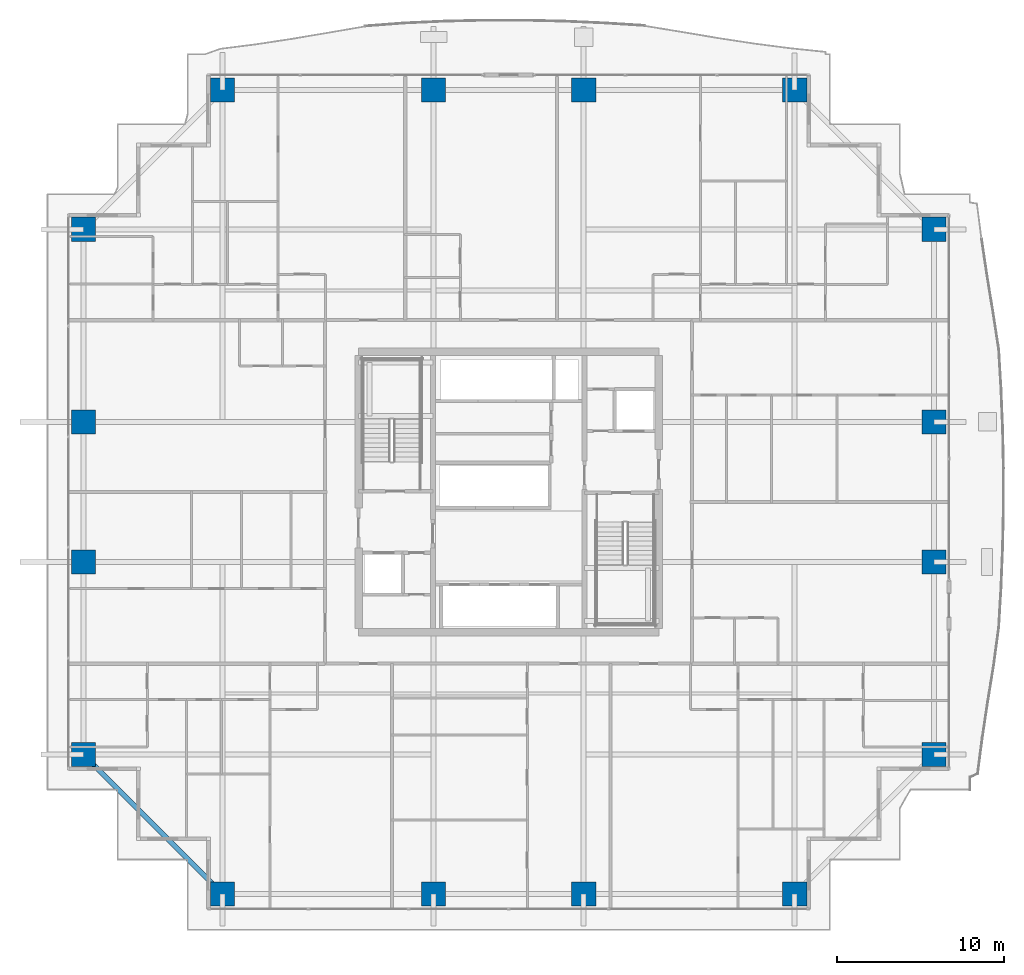
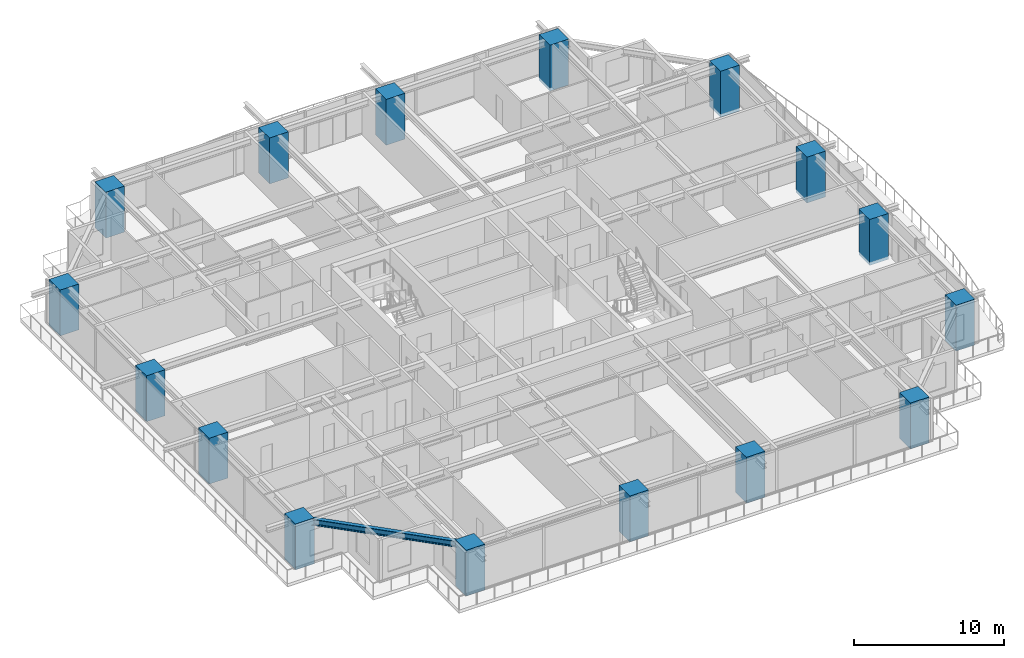
# One storey, part 1 of 38: 16 columns, 1 beam.
"""IFC4 building model written with IfcOpenShell, lengths in metres."""

from ifc_helpers import new_model, si_unit, direction, frame, origin, origin_2d, place, context, subcontext, project, spatial, rectangle, i_section, extrude, source, transform, mapped, material, material_profile, profile_set, type_object, element, save


model = new_model("IFC4")

# Units and contexts
model_context = context("Model", 3, precision=1e-05, world=origin(), true_north=direction((0.0, 1.0)))
body_context = subcontext(model_context, "Body", "Model", "MODEL_VIEW")
ifc_project = project(units=[si_unit("LENGTHUNIT", "METRE"), si_unit("AREAUNIT", "SQUARE_METRE"), si_unit("VOLUMEUNIT", "CUBIC_METRE"), si_unit("PLANEANGLEUNIT", "RADIAN"), si_unit("MASSUNIT", "GRAM", prefix="KILO")], contexts=[model_context])

# Site, building, storey
site_placement = place(None, origin())
site = spatial("IfcSite", under=ifc_project, at=site_placement, CompositionType="ELEMENT")
building_placement = place(site_placement, origin())
building = spatial("IfcBuilding", under=site, at=building_placement, Name="Serunith Strait Residences", CompositionType="ELEMENT")
storey_placement = place(building_placement, frame((0.0, 0.0, 37.949951171875)))
storey = spatial("IfcBuildingStorey", under=building, at=storey_placement, Name="L08", CompositionType="ELEMENT", Elevation=37.949951171875)

# Columns
ifc_material_1 = material(Name="Concrete C90/105", Category="concrete")
ifc_material_profile_1 = material_profile(ifc_material_1, rectangle(XDim=1.449951171875, YDim=1.449951171875, at=origin_2d()), Name="RC 1450x1450")
ifc_profile_set_1 = profile_set([ifc_material_profile_1], Name="Concrete C90/105")
column_type = type_object("IfcColumnType", Name="COL-RC-1450", PredefinedType="COLUMN", material=ifc_profile_set_1)
shared_shape_1 = source(origin(), body_context, "Body", "SweptSolid", [
    extrude(rectangle(XDim=1.449951171875, YDim=1.449951171875, at=origin_2d()), origin(), (0.0, 0.0, 1.0), 3.75),
])
for number, where, z_axis, x_axis, name in (
    (1, (15.25, 1.10009765625, -0.260009765625), (0.0, 0.0, 1.0), (1.0, 0.0, 0.0), "L08 Tower Mega-Column TC-S1"),
    (2, (27.89990234375, 1.10009765625, -0.260009765625), (0.0, 0.0, 1.0), (1.0, 0.0, 0.0), "L08 Tower Mega-Column TC-S2"),
    (3, (36.89990234375, 1.10009765625, -0.260009765625), (0.0, 0.0, 1.0), (1.0, 0.0, 0.0), "L08 Tower Mega-Column TC-S3"),
    (4, (49.550048828125, 1.10009765625, -0.260009765625), (0.0, 0.0, 1.0), (1.0, 0.0, 0.0), "L08 Tower Mega-Column TC-S4"),
    (5, (15.25, 49.300048828125, -0.260009765625), (0.0, 0.0, 1.0), (1.0, 0.0, 0.0), "L08 Tower Mega-Column TC-N1"),
    (6, (27.89990234375, 49.300048828125, -0.260009765625), (0.0, 0.0, 1.0), (1.0, 0.0, 0.0), "L08 Tower Mega-Column TC-N2"),
    (7, (36.89990234375, 49.300048828125, -0.260009765625), (0.0, 0.0, 1.0), (1.0, 0.0, 0.0), "L08 Tower Mega-Column TC-N3"),
    (8, (49.550048828125, 49.300048828125, -0.260009765625), (0.0, 0.0, 1.0), (1.0, 0.0, 0.0), "L08 Tower Mega-Column TC-N4"),
    (9, (57.89990234375, 9.449951171875, -0.260009765625), (0.0, 0.0, 1.0), (1.0, 0.0, 0.0), "L08 Tower Mega-Column TC-E1"),
    (10, (57.89990234375, 21.0, -0.260009765625), (0.0, 0.0, 1.0), (1.0, 0.0, 0.0), "L08 Tower Mega-Column TC-E2"),
    (11, (57.89990234375, 29.39990234375, -0.260009765625), (0.0, 0.0, 1.0), (1.0, 0.0, 0.0), "L08 Tower Mega-Column TC-E3"),
    (12, (57.89990234375, 40.949951171875, -0.260009765625), (0.0, 0.0, 1.0), (1.0, 0.0, 0.0), "L08 Tower Mega-Column TC-E4"),
    (13, (6.89990234375, 9.449951171875, -0.260009765625), (0.0, 0.0, 1.0), (1.0, 0.0, 0.0), "L08 Tower Mega-Column TC-W1"),
    (14, (6.89990234375, 21.0, -0.260009765625), (0.0, 0.0, 1.0), (1.0, 0.0, 0.0), "L08 Tower Mega-Column TC-W2"),
    (15, (6.89990234375, 29.39990234375, -0.260009765625), (0.0, 0.0, 1.0), (1.0, 0.0, 0.0), "L08 Tower Mega-Column TC-W3"),
    (16, (6.89990234375, 40.949951171875, -0.260009765625), (0.0, 0.0, 1.0), (1.0, 0.0, 0.0), "L08 Tower Mega-Column TC-W4"),
):
    element("IfcColumn", number, at=place(storey_placement, frame(where, z_axis=z_axis, x_axis=x_axis)), inside=storey, type_object=column_type, Name=name, PredefinedType="COLUMN", context=body_context, shape_type="MappedRepresentation", body=[
        mapped(shared_shape_1, transform((0.0, 0.0, 0.0), scale=1.0)),
    ])

# Beam
ifc_material_2 = material(Name="Steel S355J2", Category="steel")
ifc_material_profile_2 = material_profile(ifc_material_2, i_section(OverallWidth=0.300048828125, OverallDepth=0.5, WebThickness=0.014404296875, FlangeThickness=0.028076171875, FilletRadius=0.027099609375, at=origin_2d()), Name="HEB 500")
ifc_profile_set_2 = profile_set([ifc_material_profile_2], Name="Steel S355J2")
beam_type = type_object("IfcBeamType", Name="BM-HEB500", PredefinedType="BEAM", material=ifc_profile_set_2)
shared_shape_2 = source(origin(), body_context, "Body", "SweptSolid", [
    extrude(i_section(OverallWidth=0.300048828125, OverallDepth=0.5, WebThickness=0.014404296875, FlangeThickness=0.028076171875, FilletRadius=0.027099609375, at=origin_2d()), origin(), (0.0, 0.0, 1.0), 11.80859375),
])
beam_placement = place(storey_placement, frame((6.89990234375, 9.449951171875, 3.20703125), z_axis=(0.707117118476, -0.707096443746, 0.0), x_axis=(0.707096443746, 0.707117118476, 0.0)))
element("IfcBeam", 17, at=beam_placement, inside=storey, type_object=beam_type, Name="L08 Perimeter Ring Beam 16", PredefinedType="BEAM", context=body_context, shape_type="MappedRepresentation", body=[
    mapped(shared_shape_2, transform((0.0, 0.0, 0.0), scale=1.0)),
])

save(model, "model.ifc")
